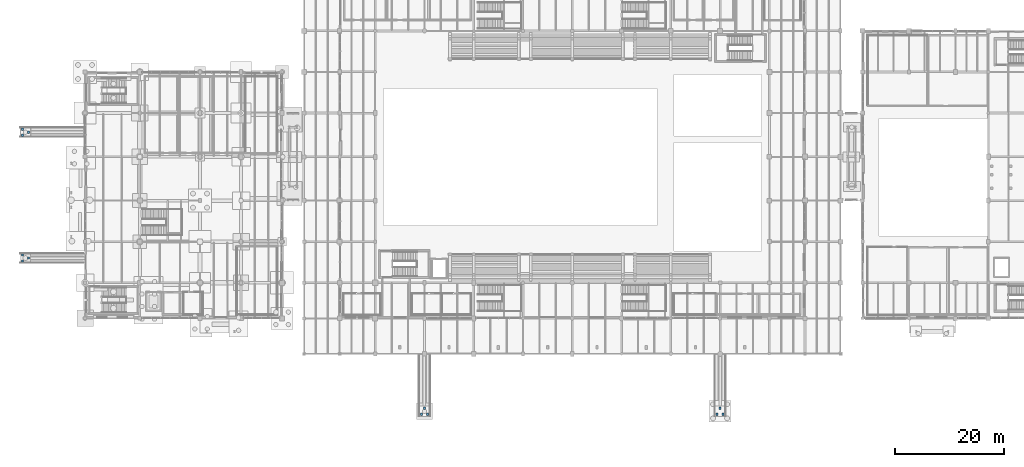
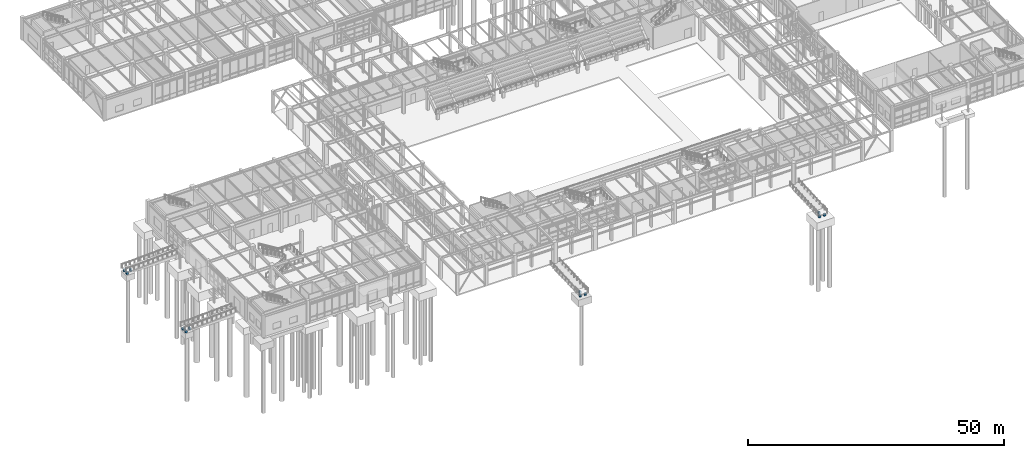
# One storey, part 26 of 203: 12 columns.
"""IFC4 building model written with IfcOpenShell, lengths in metres."""

from ifc_helpers import new_model, si_unit, direction, frame, origin, origin_2d, place, context, subcontext, project, spatial, rectangle, extrude, material, material_profile, profile_set, type_object, element, save


model = new_model("IFC4")

# Units and contexts
model_context = context("Model", 3, precision=1e-05, world=origin(), true_north=direction((0.0, 1.0)))
body_context = subcontext(model_context, "Body", "Model", "MODEL_VIEW")
ifc_project = project(units=[si_unit("LENGTHUNIT", "METRE"), si_unit("AREAUNIT", "SQUARE_METRE"), si_unit("VOLUMEUNIT", "CUBIC_METRE"), si_unit("PLANEANGLEUNIT", "RADIAN"), si_unit("MASSUNIT", "GRAM", prefix="KILO"), si_unit("THERMODYNAMICTEMPERATUREUNIT", "KELVIN"), si_unit("POWERUNIT", "WATT")], contexts=[model_context])

# Site, building, storey
site_placement = place(None, origin())
site = spatial("IfcSite", under=ifc_project, at=site_placement, CompositionType="ELEMENT")
building_placement = place(site_placement, origin())
building = spatial("IfcBuilding", under=site, at=building_placement, Name="Tepalcoro Natatorium and Aquatics Centre", CompositionType="ELEMENT")
storey_placement = place(building_placement, origin())
storey = spatial("IfcBuildingStorey", under=building, at=storey_placement, Name="L00", CompositionType="ELEMENT", Elevation=0.0)

# Columns
ifc_material = material(Name="Concrete C40/50 (fc 40 MPa)", Category="concrete")
ifc_material_profile = material_profile(ifc_material, rectangle(XDim=0.39990234375, YDim=0.39990234375, at=origin_2d()), Name="RC400x400")
ifc_profile_set = profile_set([ifc_material_profile], Name="Concrete C40/50 (fc 40 MPa)")
column_type = type_object("IfcColumnType", Name="COL_RC_400x400", PredefinedType="COLUMN", material=ifc_profile_set)
for number, where, z_axis, x_axis, name in (
    (1, (-11.429931640625, 16.949951171875, -1.25), (0.0, 0.0, 1.0), (1.0, 0.0, 0.0), "RMP01 Landing Support Pier 1"),
    (2, (-11.429931640625, 18.050048828125, -1.25), (0.0, 0.0, 1.0), (1.0, 0.0, 0.0), "RMP01 Landing Support Pier 2"),
    (3, (-10.330078125, 17.5, -1.25), (0.0, 0.0, 1.0), (1.0, 0.0, 0.0), "RMP01 Landing Support Pier 3"),
    (4, (-11.429931640625, 39.949951171875, -1.25), (0.0, 0.0, 1.0), (1.0, 0.0, 0.0), "RMP02 Landing Support Pier 1"),
    (5, (-11.429931640625, 41.050048828125, -1.25), (0.0, 0.0, 1.0), (1.0, 0.0, 0.0), "RMP02 Landing Support Pier 2"),
    (6, (-10.330078125, 40.5, -1.25), (0.0, 0.0, 1.0), (1.0, 0.0, 0.0), "RMP02 Landing Support Pier 3"),
    (7, (62.550048828125, -11.030029296875, -1.25), (0.0, 0.0, 1.0), (1.0, 0.0, 0.0), "RMP03 Landing Support Pier 1"),
    (8, (61.449951171875, -11.030029296875, -1.25), (0.0, 0.0, 1.0), (1.0, 0.0, 0.0), "RMP03 Landing Support Pier 2"),
    (9, (62.0, -9.929931640625, -1.25), (0.0, 0.0, 1.0), (1.0, 0.0, 0.0), "RMP03 Landing Support Pier 3"),
    (10, (116.550048828125, -11.030029296875, -1.25), (0.0, 0.0, 1.0), (1.0, 0.0, 0.0), "RMP04 Landing Support Pier 1"),
    (11, (115.449951171875, -11.030029296875, -1.25), (0.0, 0.0, 1.0), (1.0, 0.0, 0.0), "RMP04 Landing Support Pier 2"),
    (12, (116.0, -9.929931640625, -1.25), (0.0, 0.0, 1.0), (1.0, 0.0, 0.0), "RMP04 Landing Support Pier 3"),
):
    element("IfcColumn", number, at=place(storey_placement, frame(where, z_axis=z_axis, x_axis=x_axis)), inside=storey, type_object=column_type, Name=name, PredefinedType="COLUMN", context=body_context, shape_type="SweptSolid", body=[
        extrude(rectangle(XDim=0.39990234375, YDim=0.39990234375, at=origin_2d()), origin(), (0.0, 0.0, 1.0), 0.550048828125),
    ])

save(model, "model.ifc")
